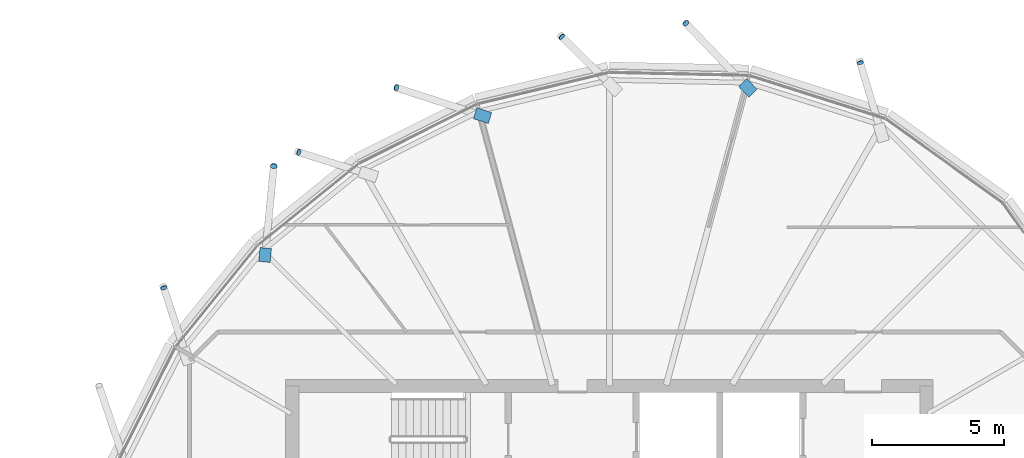
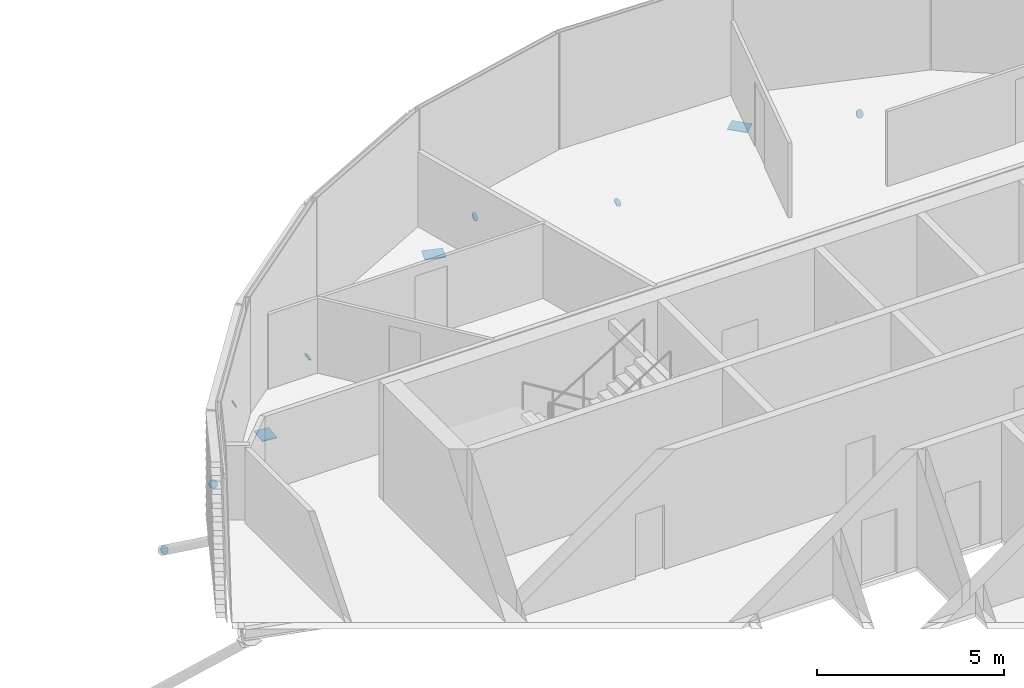
# One storey, part 32 of 38: 10 discrete accessories.
"""IFC4 building model written with IfcOpenShell, lengths in metres."""

import ifcopenshell
import ifcopenshell.guid

model = None  # the IFC model being written
_history = None  # IfcOwnerHistory: only IFC2X3 demands one
_inside = {}  # id of a spatial element -> (the spatial element, [elements in it])
_under = {}  # id of a project, library or spatial element -> (it, [spatial elements below it])
_declared = {}  # id of a project -> (the project, [libraries it declares])
_typed = {}  # id of a type object -> (the type object, [elements of that type])
_made_of = {}  # id of a material, layer set ... -> (it, [elements and type objects made of it])


def new_model(schema):
    """Start an empty IFC model of exactly this schema.

    Asked for "IFC4X3", IfcOpenShell would pick the latest addendum, in which some entities
    have other attributes; the version numbers below select the first issue.
    IFC2X3 requires an IfcOwnerHistory on every rooted entity: one is made here for all.
    """
    global model, _history
    if schema == "IFC4X3":
        model = ifcopenshell.file(schema_version=(4, 3, 0, 0))
    else:
        model = ifcopenshell.file(schema=schema)
    _inside.clear()
    _under.clear()
    _declared.clear()
    _typed.clear()
    _made_of.clear()
    _history = None
    if model.schema == "IFC2X3":
        org = make("IfcOrganization", Name="unknown")
        user = make(
            "IfcPersonAndOrganization",
            ThePerson=make("IfcPerson", FamilyName="unknown"),
            TheOrganization=org,
        )
        app = make(
            "IfcApplication",
            ApplicationDeveloper=org,
            Version="unknown",
            ApplicationFullName="unknown",
            ApplicationIdentifier="unknown",
        )
        _history = make(
            "IfcOwnerHistory",
            OwningUser=user,
            OwningApplication=app,
            ChangeAction="ADDED",
            CreationDate=0,
        )
    return model


def make(cls, **values):
    """One entity of the class cls with the attributes given. An attribute that is None is left unset."""
    return model.create_entity(
        cls, **{name: value for name, value in values.items() if value is not None}
    )


def rooted(cls, **values):
    """An entity with a GlobalId (a new one), such as an element, a storey or a relation."""
    return make(cls, GlobalId=ifcopenshell.guid.new(), OwnerHistory=_history, **values)


def si_unit(unit_type, name, prefix=None):
    """IfcSIUnit, for example si_unit("LENGTHUNIT", "METRE", prefix="MILLI")."""
    return make("IfcSIUnit", UnitType=unit_type, Prefix=prefix, Name=name)


def assignment(units):
    """IfcUnitAssignment: the units of a project."""
    return None if units is None else make("IfcUnitAssignment", Units=units)


def point(xyz):
    """IfcCartesianPoint."""
    return None if xyz is None else make("IfcCartesianPoint", Coordinates=xyz)


def direction(xyz):
    """IfcDirection."""
    return None if xyz is None else make("IfcDirection", DirectionRatios=xyz)


def frame(location, z_axis=None, x_axis=None):
    """IfcAxis2Placement3D, a coordinate frame: its origin and axes. An axis left out is left unset."""
    return make(
        "IfcAxis2Placement3D",
        Location=point(location),
        Axis=direction(z_axis),
        RefDirection=direction(x_axis),
    )


def frame_2d(location, x_axis=None):
    """IfcAxis2Placement2D, a coordinate frame in the plane: its origin and x axis."""
    return make(
        "IfcAxis2Placement2D", Location=point(location), RefDirection=direction(x_axis)
    )


def origin():
    """The frame at (0, 0, 0) with its axes left unset."""
    return frame((0.0, 0.0, 0.0))


def origin_2d():
    """The frame at (0, 0) in the plane with its x axis left unset."""
    return frame_2d((0.0, 0.0))


def place(relative_to, where):
    """IfcLocalPlacement: puts the frame where relative to a parent placement (None: the world)."""
    return make(
        "IfcLocalPlacement", PlacementRelTo=relative_to, RelativePlacement=where
    )


def context(
    kind, dimensions, precision=None, world=None, true_north=None, identifier=None
):
    """IfcGeometricRepresentationContext, for example the 3D "Model" context."""
    return make(
        "IfcGeometricRepresentationContext",
        ContextIdentifier=identifier,
        ContextType=kind,
        CoordinateSpaceDimension=dimensions,
        Precision=precision,
        WorldCoordinateSystem=world,
        TrueNorth=true_north,
    )


def subcontext(parent, identifier, kind, view, scale=None):
    """IfcGeometricRepresentationSubContext, for example "Body" below "Model"."""
    return make(
        "IfcGeometricRepresentationSubContext",
        ContextIdentifier=identifier,
        ContextType=kind,
        ParentContext=parent,
        TargetScale=scale,
        TargetView=view,
    )


def project(units=None, contexts=None):
    """IfcProject with its units and contexts."""
    return rooted(
        "IfcProject",
        Name="project",
        RepresentationContexts=contexts,
        UnitsInContext=assignment(units),
    )


def spatial(cls, under=None, at=None, **own):
    """A site, building, storey or space (cls), placed at a placement, below another one or the project."""
    s = rooted(cls, ObjectPlacement=at, **own)
    if under is not None:
        _under.setdefault(under.id(), (under, []))[1].append(s)
    return s


def polyline(points):
    """IfcPolyline through the points."""
    return make("IfcPolyline", Points=[point(p) for p in points])


def profile(cls, at=None, kind="AREA", **sizes):
    """A parametric profile (cls). Its sizes go by their IFC names, for example OverallWidth=200.0."""
    return make(cls, ProfileType=kind, Position=at, **sizes)


def rectangle(**sizes):
    """IfcRectangleProfileDef."""
    return profile("IfcRectangleProfileDef", **sizes)


def circle(**sizes):
    """IfcCircleProfileDef."""
    return profile("IfcCircleProfileDef", **sizes)


def outline(outer, holes=None, kind="AREA"):
    """IfcArbitraryClosedProfileDef: a profile drawn as a closed curve; with holes, ...WithVoids."""
    if holes is None:
        return make("IfcArbitraryClosedProfileDef", ProfileType=kind, OuterCurve=outer)
    return make(
        "IfcArbitraryProfileDefWithVoids",
        ProfileType=kind,
        OuterCurve=outer,
        InnerCurves=holes,
    )


def extrude(swept, where, along, depth):
    """IfcExtrudedAreaSolid: the profile swept, set in the frame where, extruded along a direction by depth."""
    return make(
        "IfcExtrudedAreaSolid",
        SweptArea=swept,
        Position=where,
        ExtrudedDirection=direction(along),
        Depth=depth,
    )


def shape(context_of_items, identifier, shape_type, items):
    """IfcShapeRepresentation: the items that make up one representation, for example the "Body"."""
    return make(
        "IfcShapeRepresentation",
        ContextOfItems=context_of_items,
        RepresentationIdentifier=identifier,
        RepresentationType=shape_type,
        Items=items,
    )


def material(Name=None, Category=None):
    """IfcMaterial."""
    return make("IfcMaterial", Name=Name, Category=Category)


def material_profile(
    of_material, cross_section, Name=None, Category=None, Priority=None
):
    """IfcMaterialProfile: a cross section and its material."""
    return make(
        "IfcMaterialProfile",
        Name=Name,
        Material=of_material,
        Profile=cross_section,
        Priority=Priority,
        Category=Category,
    )


def profile_set(profiles, Name=None, composite=None):
    """IfcMaterialProfileSet."""
    return make(
        "IfcMaterialProfileSet",
        Name=Name,
        MaterialProfiles=profiles,
        CompositeProfile=composite,
    )


def made_of(thing, what):
    """Note that an element or type object is made of a material, layer set ...; save() writes the relation."""
    if what is not None:
        _made_of.setdefault(what.id(), (what, []))[1].append(thing)
    return thing


def type_object(cls, material=None, **own):
    """A type object (cls), such as IfcWallType, which elements share."""
    return made_of(rooted(cls, **own), material)


def element(
    cls,
    number,
    at=None,
    inside=None,
    cuts=None,
    type_object=None,
    material=None,
    context=None,
    identifier="Body",
    shape_type=None,
    held_by="IfcProductDefinitionShape",
    body=None,
    shapes=None,
    **own,
):
    """One element of the class cls, such as IfcWall. Its Tag is "e" and its number.

    at: its placement. inside: the storey or other place that contains it. cuts: it is an
    opening in that element (IfcRelVoidsElement). A single representation is given by context,
    identifier, shape_type and body (its items); several are given by shapes. held_by: the class
    of the entity that holds the representations. save() writes the other relations.
    """
    e = rooted(cls, Tag="e%d" % number, ObjectPlacement=at, **own)
    if body is not None:
        shapes = [shape(context, identifier, shape_type, body)]
    if shapes is not None:
        e.Representation = make(held_by, Representations=shapes)
    if inside is not None:
        _inside.setdefault(inside.id(), (inside, []))[1].append(e)
    if cuts is not None:
        rooted(
            "IfcRelVoidsElement", RelatingBuildingElement=cuts, RelatedOpeningElement=e
        )
    if type_object is not None:
        _typed.setdefault(type_object.id(), (type_object, []))[1].append(e)
    return made_of(e, material)


def aggregate(whole, parts):
    """IfcRelAggregates: a whole, such as a stair, and the parts it consists of."""
    return rooted("IfcRelAggregates", RelatingObject=whole, RelatedObjects=parts)


def save(model, path):
    """Write the relations noted so far, then the file.

    IfcRelAggregates (storeys below a building ...), IfcRelContainedInSpatialStructure (elements
    in a storey), IfcRelDefinesByType, IfcRelAssociatesMaterial and IfcRelDeclares: one each for
    every whole, place, type object, material and project.
    """
    for whole, parts in _under.values():
        aggregate(whole, parts)
    for where, things in _inside.values():
        rooted(
            "IfcRelContainedInSpatialStructure",
            RelatedElements=things,
            RelatingStructure=where,
        )
    for kind, things in _typed.values():
        rooted("IfcRelDefinesByType", RelatedObjects=things, RelatingType=kind)
    for what, things in _made_of.values():
        rooted("IfcRelAssociatesMaterial", RelatedObjects=things, RelatingMaterial=what)
    for by, libraries in _declared.values():
        rooted("IfcRelDeclares", RelatingContext=by, RelatedDefinitions=libraries)
    model.write(path)


model = new_model("IFC4")

# Units and contexts
model_context = context("Model", 3, precision=1e-05, world=origin(), true_north=direction((0.0, 1.0)))
body_context = subcontext(model_context, "Body", "Model", "MODEL_VIEW")
ifc_project = project(units=[si_unit("LENGTHUNIT", "METRE"), si_unit("AREAUNIT", "SQUARE_METRE"), si_unit("VOLUMEUNIT", "CUBIC_METRE"), si_unit("PLANEANGLEUNIT", "RADIAN"), si_unit("MASSUNIT", "GRAM", prefix="KILO")], contexts=[model_context])

# Site, building, storey
site_placement = place(None, origin())
site = spatial("IfcSite", under=ifc_project, at=site_placement, CompositionType="ELEMENT")
building_placement = place(site_placement, origin())
building = spatial("IfcBuilding", under=site, at=building_placement, Name="Rimbun Link Towers", CompositionType="ELEMENT")
storey_placement = place(building_placement, frame((0.0, 0.0, 218.10009765625)))
storey = spatial("IfcBuildingStorey", under=building, at=storey_placement, Name="L53", CompositionType="ELEMENT", Elevation=218.10009765625)

# Discrete accessories
ifc_material_1 = material(Name="Steel S355J2H", Category="steel")
ifc_material_profile_1 = material_profile(ifc_material_1, circle(Radius=0.1240234375, at=origin_2d()), Name="PL D248")
ifc_profile_set_1 = profile_set([ifc_material_profile_1], Name="Steel S355J2H")
discrete_accessory_type_1 = type_object("IfcDiscreteAccessoryType", Name="Link foot sealing plate D248X20", PredefinedType="BRACKET", material=ifc_profile_set_1)
discrete_accessory_1_placement = place(storey_placement, frame((41.247314453125, 20.225830078125, -2.39453125), z_axis=(-0.256670786107, 0.818902031866, -0.513341572215), x_axis=(-0.954226213926, -0.299085828245, 0.0)))
element("IfcDiscreteAccessory", 1, at=discrete_accessory_1_placement, inside=storey, type_object=discrete_accessory_type_1, Name="Link foot sealing plate T2 L53 01", PredefinedType="BRACKET", context=body_context, shape_type="SweptSolid", body=[
    extrude(circle(Radius=0.1240234375, at=origin_2d()), origin(), (0.0, 0.0, 1.0), 0.02001953125),
])
for number, where, z_axis, x_axis, name in (
    (2, (34.65087890625, 21.72119140625, -3.877197265625), (-0.507981929527, 0.532171545218, -0.677309239369), (-0.723355544144, -0.690475746683, 0.0), "Link foot sealing plate T2 L53 02"),
    (3, (29.95849609375, 21.20849609375, -2.391845703125), (-0.604166194662, 0.604166194662, -0.519582927409), (-0.707106781187, -0.707106781187, 0.0), "Link foot sealing plate T2 L53 03"),
):
    element("IfcDiscreteAccessory", number, at=place(storey_placement, frame(where, z_axis=z_axis, x_axis=x_axis)), inside=storey, type_object=discrete_accessory_type_1, Name=name, PredefinedType="BRACKET", context=body_context, shape_type="SweptSolid", body=[
        extrude(circle(Radius=0.1240234375, at=origin_2d()), origin(), (0.0, 0.0, 1.0), 0.020263671875),
    ])
for number, where, z_axis, x_axis, name in (
    (4, (23.697021484375, 19.283203125, -3.598876953125), (-0.729217220587, 0.230918786519, -0.644141878185), (-0.301891704694, -0.953342225351, 0.0), "Link foot sealing plate T2 L53 04"),
    (5, (20.00927734375, 16.840576171875, -2.358154296875), (-0.813751844069, 0.255056548141, -0.522258646194), (-0.299085828245, -0.954226213926, 0.0), "Link foot sealing plate T2 L53 05"),
    (6, (19.05419921875, 16.315185546875, -4.31982421875), (0.061258687864, 0.661593828928, -0.747355991938), (-0.995740674056, 0.092198210561, 0.0), "Link foot sealing plate T2 L53 06"),
    (7, (14.894287109375, 11.70751953125, -2.222412109375), (-0.256728320562, 0.794635277929, -0.550132115489), (-0.951570542877, -0.307430483083, 0.0), "Link foot sealing plate T2 L53 07"),
):
    element("IfcDiscreteAccessory", number, at=place(storey_placement, frame(where, z_axis=z_axis, x_axis=x_axis)), inside=storey, type_object=discrete_accessory_type_1, Name=name, PredefinedType="BRACKET", context=body_context, shape_type="SweptSolid", body=[
        extrude(circle(Radius=0.1240234375, at=origin_2d()), origin(), (0.0, 0.0, 1.0), 0.02001953125),
    ])
ifc_material_2 = material(Name="Steel S355J2H", Category="steel")
ifc_material_profile_2 = material_profile(ifc_material_2, rectangle(XDim=0.43310546875, YDim=0.43310546875, at=origin_2d()), Name="PL 433x433")
ifc_profile_set_2 = profile_set([ifc_material_profile_2], Name="Steel S355J2H")
discrete_accessory_type_2 = type_object("IfcDiscreteAccessoryType", Name="Link head end plate 433X20", PredefinedType="BRACKET", material=ifc_profile_set_2)
discrete_accessory_2_placement = place(storey_placement, frame((0.0, 0.0, -0.7626953125)))
element("IfcDiscreteAccessory", 8, at=discrete_accessory_2_placement, inside=storey, type_object=discrete_accessory_type_2, Name="Link head end plate T2 L53 02", PredefinedType="BRACKET", context=body_context, shape_type="SweptSolid", body=[
    extrude(outline(polyline([(37.344482421875, 19.2236328125), (36.95458984375, 19.63037109375), (36.64208984375, 19.330810546875), (37.03173828125, 18.924072265625), (37.344482421875, 19.2236328125)])), origin(), (0.0, 0.0, 1.0), 0.02001953125),
])
discrete_accessory_3_placement = place(storey_placement, frame((0.0, 0.0, -0.7626953125)))
element("IfcDiscreteAccessory", 9, at=discrete_accessory_3_placement, inside=storey, type_object=discrete_accessory_type_2, Name="Link head end plate T2 L53 04", PredefinedType="BRACKET", context=body_context, shape_type="SweptSolid", body=[
    extrude(outline(polyline([(27.30224609375, 18.343017578125), (26.74267578125, 18.5244140625), (26.609375, 18.1123046875), (27.168701171875, 17.93115234375), (27.30224609375, 18.343017578125)])), origin(), (0.0, 0.0, 1.0), 0.02001953125),
])
discrete_accessory_4_placement = place(storey_placement, frame((0.0, 0.0, -0.56640625)))
element("IfcDiscreteAccessory", 10, at=discrete_accessory_4_placement, inside=storey, type_object=discrete_accessory_type_2, Name="Link head end plate T2 L53 06", PredefinedType="BRACKET", context=body_context, shape_type="SweptSolid", body=[
    extrude(outline(polyline([(18.913818359375, 12.67138671875), (18.96533203125, 13.196044921875), (18.534423828125, 13.23828125), (18.48291015625, 12.713623046875), (18.913818359375, 12.67138671875)])), origin(), (0.0, 0.0, 1.0), 0.02001953125),
])

save(model, "model.ifc")
